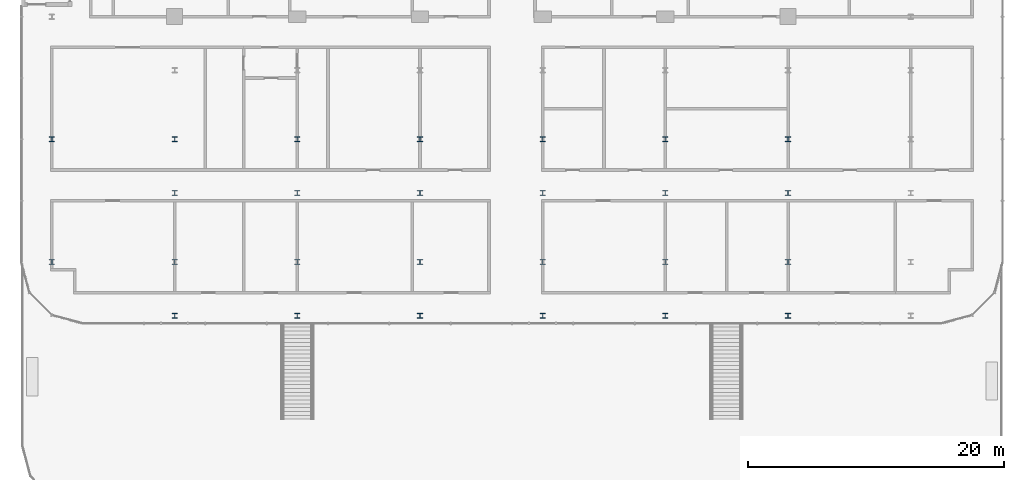
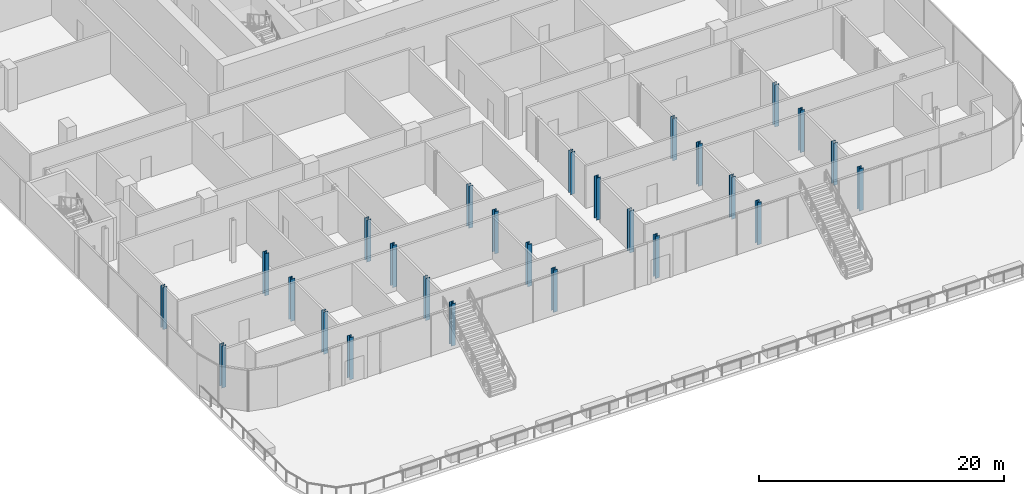
# One storey, part 1 of 43: 26 columns.
"""IFC4 building model written with IfcOpenShell, lengths in metres."""

from ifc_helpers import new_model, si_unit, direction, frame, origin, origin_2d, place, context, subcontext, project, spatial, i_section, extrude, material, material_profile, profile_set, type_object, element, save


model = new_model("IFC4")

# Units and contexts
model_context = context("Model", 3, precision=1e-05, world=origin(), true_north=direction((0.0, 1.0)))
body_context = subcontext(model_context, "Body", "Model", "MODEL_VIEW")
ifc_project = project(units=[si_unit("LENGTHUNIT", "METRE"), si_unit("AREAUNIT", "SQUARE_METRE"), si_unit("VOLUMEUNIT", "CUBIC_METRE"), si_unit("PLANEANGLEUNIT", "RADIAN"), si_unit("MASSUNIT", "GRAM", prefix="KILO")], contexts=[model_context])

# Site, building, storey
site_placement = place(None, origin())
site = spatial("IfcSite", under=ifc_project, at=site_placement, CompositionType="ELEMENT")
building_placement = place(site_placement, origin())
building = spatial("IfcBuilding", under=site, at=building_placement, Name="Madar Terraces", CompositionType="ELEMENT")
storey_placement = place(building_placement, frame((0.0, 0.0, 10.5)))
storey = spatial("IfcBuildingStorey", under=building, at=storey_placement, Name="L02", CompositionType="ELEMENT", Elevation=10.5)

# Columns
ifc_material = material(Name="Steel ASTM A992 Grade 50", Category="steel")
ifc_material_profile = material_profile(ifc_material, i_section(OverallWidth=0.396240234375, OverallDepth=0.381103515625, WebThickness=0.01904296875, FlangeThickness=0.0302734375, at=origin_2d()), Name="W14x159")
ifc_profile_set = profile_set([ifc_material_profile], Name="Steel ASTM A992 Grade 50")
column_type = type_object("IfcColumnType", Name="PC2 W14x159", PredefinedType="COLUMN", material=ifc_profile_set)
for number, where, z_axis, x_axis, name in (
    (1, (-4.800048828125, -19.199951171875, 0.0), (0.0, 0.0, 1.0), (1.0, 0.0, 0.0), "Podium column PC2"),
    (2, (-4.800048828125, -9.60009765625, 0.0), (0.0, 0.0, 1.0), (1.0, 0.0, 0.0), "Podium column PC2"),
    (3, (4.800048828125, -23.39990234375, 0.0), (0.0, 0.0, 1.0), (1.0, 0.0, 0.0), "Podium column PC2"),
    (4, (4.800048828125, -19.199951171875, 0.0), (0.0, 0.0, 1.0), (1.0, 0.0, 0.0), "Podium column PC2"),
    (5, (4.800048828125, -13.800048828125, 0.0), (0.0, 0.0, 1.0), (1.0, 0.0, 0.0), "Podium column PC2"),
    (6, (4.800048828125, -9.60009765625, 0.0), (0.0, 0.0, 1.0), (1.0, 0.0, 0.0), "Podium column PC2"),
    (7, (14.39990234375, -23.39990234375, 0.0), (0.0, 0.0, 1.0), (1.0, 0.0, 0.0), "Podium column PC2"),
    (8, (14.39990234375, -19.199951171875, 0.0), (0.0, 0.0, 1.0), (1.0, 0.0, 0.0), "Podium column PC2"),
    (9, (14.39990234375, -13.800048828125, 0.0), (0.0, 0.0, 1.0), (1.0, 0.0, 0.0), "Podium column PC2"),
    (10, (14.39990234375, -9.60009765625, 0.0), (0.0, 0.0, 1.0), (1.0, 0.0, 0.0), "Podium column PC2"),
    (11, (24.0, -23.39990234375, 0.0), (0.0, 0.0, 1.0), (1.0, 0.0, 0.0), "Podium column PC2"),
    (12, (24.0, -19.199951171875, 0.0), (0.0, 0.0, 1.0), (1.0, 0.0, 0.0), "Podium column PC2"),
    (13, (24.0, -13.800048828125, 0.0), (0.0, 0.0, 1.0), (1.0, 0.0, 0.0), "Podium column PC2"),
    (14, (24.0, -9.60009765625, 0.0), (0.0, 0.0, 1.0), (1.0, 0.0, 0.0), "Podium column PC2"),
    (15, (33.60009765625, -23.39990234375, 0.0), (0.0, 0.0, 1.0), (1.0, 0.0, 0.0), "Podium column PC2"),
    (16, (33.60009765625, -19.199951171875, 0.0), (0.0, 0.0, 1.0), (1.0, 0.0, 0.0), "Podium column PC2"),
    (17, (33.60009765625, -13.800048828125, 0.0), (0.0, 0.0, 1.0), (1.0, 0.0, 0.0), "Podium column PC2"),
    (18, (33.60009765625, -9.60009765625, 0.0), (0.0, 0.0, 1.0), (1.0, 0.0, 0.0), "Podium column PC2"),
    (19, (43.199951171875, -23.39990234375, 0.0), (0.0, 0.0, 1.0), (1.0, 0.0, 0.0), "Podium column PC2"),
    (20, (43.199951171875, -19.199951171875, 0.0), (0.0, 0.0, 1.0), (1.0, 0.0, 0.0), "Podium column PC2"),
    (21, (43.199951171875, -13.800048828125, 0.0), (0.0, 0.0, 1.0), (1.0, 0.0, 0.0), "Podium column PC2"),
    (22, (43.199951171875, -9.60009765625, 0.0), (0.0, 0.0, 1.0), (1.0, 0.0, 0.0), "Podium column PC2"),
    (23, (52.800048828125, -23.39990234375, 0.0), (0.0, 0.0, 1.0), (1.0, 0.0, 0.0), "Podium column PC2"),
    (24, (52.800048828125, -19.199951171875, 0.0), (0.0, 0.0, 1.0), (1.0, 0.0, 0.0), "Podium column PC2"),
    (25, (52.800048828125, -13.800048828125, 0.0), (0.0, 0.0, 1.0), (1.0, 0.0, 0.0), "Podium column PC2"),
    (26, (52.800048828125, -9.60009765625, 0.0), (0.0, 0.0, 1.0), (1.0, 0.0, 0.0), "Podium column PC2"),
):
    element("IfcColumn", number, at=place(storey_placement, frame(where, z_axis=z_axis, x_axis=x_axis)), inside=storey, type_object=column_type, Name=name, PredefinedType="COLUMN", context=body_context, shape_type="SweptSolid", body=[
        extrude(i_section(OverallWidth=0.396240234375, OverallDepth=0.381103515625, WebThickness=0.01904296875, FlangeThickness=0.0302734375, at=origin_2d()), origin(), (0.0, 0.0, 1.0), 4.199951171875),
    ])

save(model, "model.ifc")
